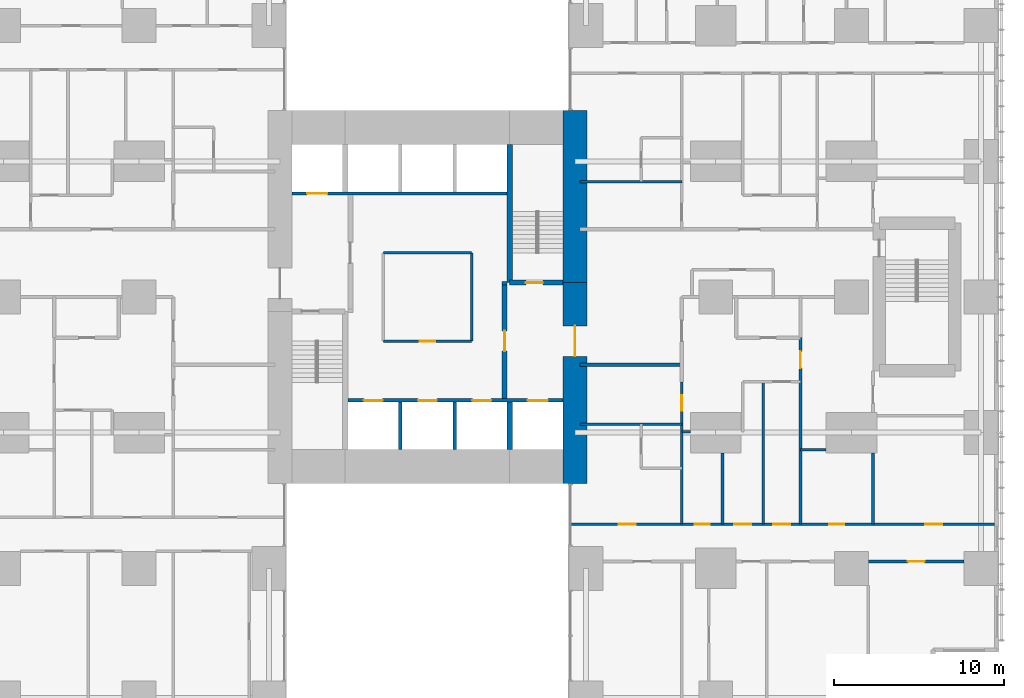
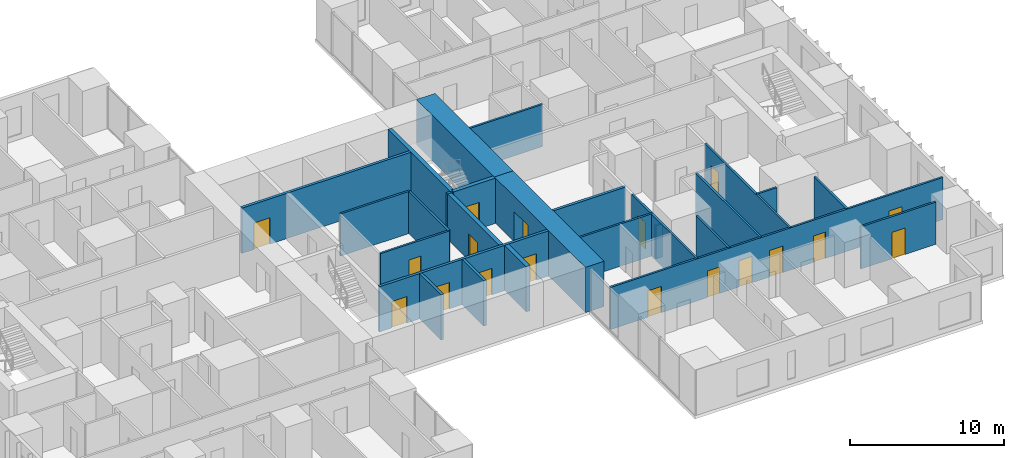
# One storey, part 15 of 20: 26 walls, 18 doors, 18 openings.
"""IFC4 building model written with IfcOpenShell, lengths in metres."""

import ifcopenshell
import ifcopenshell.guid

model = None  # the IFC model being written
_history = None  # IfcOwnerHistory: only IFC2X3 demands one
_inside = {}  # id of a spatial element -> (the spatial element, [elements in it])
_under = {}  # id of a project, library or spatial element -> (it, [spatial elements below it])
_declared = {}  # id of a project -> (the project, [libraries it declares])
_typed = {}  # id of a type object -> (the type object, [elements of that type])
_made_of = {}  # id of a material, layer set ... -> (it, [elements and type objects made of it])


def new_model(schema):
    """Start an empty IFC model of exactly this schema.

    Asked for "IFC4X3", IfcOpenShell would pick the latest addendum, in which some entities
    have other attributes; the version numbers below select the first issue.
    IFC2X3 requires an IfcOwnerHistory on every rooted entity: one is made here for all.
    """
    global model, _history
    if schema == "IFC4X3":
        model = ifcopenshell.file(schema_version=(4, 3, 0, 0))
    else:
        model = ifcopenshell.file(schema=schema)
    _inside.clear()
    _under.clear()
    _declared.clear()
    _typed.clear()
    _made_of.clear()
    _history = None
    if model.schema == "IFC2X3":
        org = make("IfcOrganization", Name="unknown")
        user = make(
            "IfcPersonAndOrganization",
            ThePerson=make("IfcPerson", FamilyName="unknown"),
            TheOrganization=org,
        )
        app = make(
            "IfcApplication",
            ApplicationDeveloper=org,
            Version="unknown",
            ApplicationFullName="unknown",
            ApplicationIdentifier="unknown",
        )
        _history = make(
            "IfcOwnerHistory",
            OwningUser=user,
            OwningApplication=app,
            ChangeAction="ADDED",
            CreationDate=0,
        )
    return model


def make(cls, **values):
    """One entity of the class cls with the attributes given. An attribute that is None is left unset."""
    return model.create_entity(
        cls, **{name: value for name, value in values.items() if value is not None}
    )


def rooted(cls, **values):
    """An entity with a GlobalId (a new one), such as an element, a storey or a relation."""
    return make(cls, GlobalId=ifcopenshell.guid.new(), OwnerHistory=_history, **values)


def si_unit(unit_type, name, prefix=None):
    """IfcSIUnit, for example si_unit("LENGTHUNIT", "METRE", prefix="MILLI")."""
    return make("IfcSIUnit", UnitType=unit_type, Prefix=prefix, Name=name)


def assignment(units):
    """IfcUnitAssignment: the units of a project."""
    return None if units is None else make("IfcUnitAssignment", Units=units)


def point(xyz):
    """IfcCartesianPoint."""
    return None if xyz is None else make("IfcCartesianPoint", Coordinates=xyz)


def direction(xyz):
    """IfcDirection."""
    return None if xyz is None else make("IfcDirection", DirectionRatios=xyz)


def frame(location, z_axis=None, x_axis=None):
    """IfcAxis2Placement3D, a coordinate frame: its origin and axes. An axis left out is left unset."""
    return make(
        "IfcAxis2Placement3D",
        Location=point(location),
        Axis=direction(z_axis),
        RefDirection=direction(x_axis),
    )


def frame_2d(location, x_axis=None):
    """IfcAxis2Placement2D, a coordinate frame in the plane: its origin and x axis."""
    return make(
        "IfcAxis2Placement2D", Location=point(location), RefDirection=direction(x_axis)
    )


def origin():
    """The frame at (0, 0, 0) with its axes left unset."""
    return frame((0.0, 0.0, 0.0))


def place(relative_to, where):
    """IfcLocalPlacement: puts the frame where relative to a parent placement (None: the world)."""
    return make(
        "IfcLocalPlacement", PlacementRelTo=relative_to, RelativePlacement=where
    )


def context(
    kind, dimensions, precision=None, world=None, true_north=None, identifier=None
):
    """IfcGeometricRepresentationContext, for example the 3D "Model" context."""
    return make(
        "IfcGeometricRepresentationContext",
        ContextIdentifier=identifier,
        ContextType=kind,
        CoordinateSpaceDimension=dimensions,
        Precision=precision,
        WorldCoordinateSystem=world,
        TrueNorth=true_north,
    )


def subcontext(parent, identifier, kind, view, scale=None):
    """IfcGeometricRepresentationSubContext, for example "Body" below "Model"."""
    return make(
        "IfcGeometricRepresentationSubContext",
        ContextIdentifier=identifier,
        ContextType=kind,
        ParentContext=parent,
        TargetScale=scale,
        TargetView=view,
    )


def project(units=None, contexts=None):
    """IfcProject with its units and contexts."""
    return rooted(
        "IfcProject",
        Name="project",
        RepresentationContexts=contexts,
        UnitsInContext=assignment(units),
    )


def spatial(cls, under=None, at=None, **own):
    """A site, building, storey or space (cls), placed at a placement, below another one or the project."""
    s = rooted(cls, ObjectPlacement=at, **own)
    if under is not None:
        _under.setdefault(under.id(), (under, []))[1].append(s)
    return s


def profile(cls, at=None, kind="AREA", **sizes):
    """A parametric profile (cls). Its sizes go by their IFC names, for example OverallWidth=200.0."""
    return make(cls, ProfileType=kind, Position=at, **sizes)


def rectangle(**sizes):
    """IfcRectangleProfileDef."""
    return profile("IfcRectangleProfileDef", **sizes)


def extrude(swept, where, along, depth):
    """IfcExtrudedAreaSolid: the profile swept, set in the frame where, extruded along a direction by depth."""
    return make(
        "IfcExtrudedAreaSolid",
        SweptArea=swept,
        Position=where,
        ExtrudedDirection=direction(along),
        Depth=depth,
    )


def shape(context_of_items, identifier, shape_type, items):
    """IfcShapeRepresentation: the items that make up one representation, for example the "Body"."""
    return make(
        "IfcShapeRepresentation",
        ContextOfItems=context_of_items,
        RepresentationIdentifier=identifier,
        RepresentationType=shape_type,
        Items=items,
    )


def material(Name=None, Category=None):
    """IfcMaterial."""
    return make("IfcMaterial", Name=Name, Category=Category)


def layer(
    of_material, thickness, ventilated=None, Name=None, Category=None, Priority=None
):
    """IfcMaterialLayer: one layer of a wall or slab, of a material (None: an air gap)."""
    return make(
        "IfcMaterialLayer",
        Material=of_material,
        LayerThickness=thickness,
        IsVentilated=ventilated,
        Name=Name,
        Category=Category,
        Priority=Priority,
    )


def layer_set(layers, Name=None):
    """IfcMaterialLayerSet."""
    return make("IfcMaterialLayerSet", MaterialLayers=layers, LayerSetName=Name)


def made_of(thing, what):
    """Note that an element or type object is made of a material, layer set ...; save() writes the relation."""
    if what is not None:
        _made_of.setdefault(what.id(), (what, []))[1].append(thing)
    return thing


def type_object(cls, material=None, **own):
    """A type object (cls), such as IfcWallType, which elements share."""
    return made_of(rooted(cls, **own), material)


def element(
    cls,
    number,
    at=None,
    inside=None,
    cuts=None,
    type_object=None,
    material=None,
    context=None,
    identifier="Body",
    shape_type=None,
    held_by="IfcProductDefinitionShape",
    body=None,
    shapes=None,
    **own,
):
    """One element of the class cls, such as IfcWall. Its Tag is "e" and its number.

    at: its placement. inside: the storey or other place that contains it. cuts: it is an
    opening in that element (IfcRelVoidsElement). A single representation is given by context,
    identifier, shape_type and body (its items); several are given by shapes. held_by: the class
    of the entity that holds the representations. save() writes the other relations.
    """
    e = rooted(cls, Tag="e%d" % number, ObjectPlacement=at, **own)
    if body is not None:
        shapes = [shape(context, identifier, shape_type, body)]
    if shapes is not None:
        e.Representation = make(held_by, Representations=shapes)
    if inside is not None:
        _inside.setdefault(inside.id(), (inside, []))[1].append(e)
    if cuts is not None:
        rooted(
            "IfcRelVoidsElement", RelatingBuildingElement=cuts, RelatedOpeningElement=e
        )
    if type_object is not None:
        _typed.setdefault(type_object.id(), (type_object, []))[1].append(e)
    return made_of(e, material)


def fill(opening, filler):
    """IfcRelFillsElement: the door or window that sits in an opening."""
    return rooted(
        "IfcRelFillsElement",
        RelatingOpeningElement=opening,
        RelatedBuildingElement=filler,
    )


def aggregate(whole, parts):
    """IfcRelAggregates: a whole, such as a stair, and the parts it consists of."""
    return rooted("IfcRelAggregates", RelatingObject=whole, RelatedObjects=parts)


def save(model, path):
    """Write the relations noted so far, then the file.

    IfcRelAggregates (storeys below a building ...), IfcRelContainedInSpatialStructure (elements
    in a storey), IfcRelDefinesByType, IfcRelAssociatesMaterial and IfcRelDeclares: one each for
    every whole, place, type object, material and project.
    """
    for whole, parts in _under.values():
        aggregate(whole, parts)
    for where, things in _inside.values():
        rooted(
            "IfcRelContainedInSpatialStructure",
            RelatedElements=things,
            RelatingStructure=where,
        )
    for kind, things in _typed.values():
        rooted("IfcRelDefinesByType", RelatedObjects=things, RelatingType=kind)
    for what, things in _made_of.values():
        rooted("IfcRelAssociatesMaterial", RelatedObjects=things, RelatingMaterial=what)
    for by, libraries in _declared.values():
        rooted("IfcRelDeclares", RelatingContext=by, RelatedDefinitions=libraries)
    model.write(path)


model = new_model("IFC4")

# Units and contexts
model_context = context("Model", 3, precision=1e-05, world=origin(), true_north=direction((0.0, 1.0)))
body_context = subcontext(model_context, "Body", "Model", "MODEL_VIEW")
ifc_project = project(units=[si_unit("LENGTHUNIT", "METRE"), si_unit("AREAUNIT", "SQUARE_METRE"), si_unit("VOLUMEUNIT", "CUBIC_METRE"), si_unit("PLANEANGLEUNIT", "RADIAN"), si_unit("MASSUNIT", "GRAM", prefix="KILO")], contexts=[model_context])

# Site, building, storey
site_placement = place(None, origin())
site = spatial("IfcSite", under=ifc_project, at=site_placement, CompositionType="ELEMENT")
building_placement = place(site_placement, origin())
building = spatial("IfcBuilding", under=site, at=building_placement, Name="Cleftline Residences", CompositionType="ELEMENT")
storey_placement = place(building_placement, frame((0.0, 0.0, 150.199951171875)))
storey = spatial("IfcBuildingStorey", under=building, at=storey_placement, Name="L39", CompositionType="ELEMENT", Elevation=150.199951171875)

# Wall, opening, door
ifc_material_1 = material(Name="Concrete B70", Category="concrete")
ifc_layer_1 = layer(ifc_material_1, 1.39990234375)
ifc_layer_set_1 = layer_set([ifc_layer_1], Name="CORE WALL 1400")
wall_type_1 = type_object("IfcWallType", Name="CORE WALL 1400", PredefinedType="SHEAR", material=ifc_layer_set_1)
wall_1_placement = place(storey_placement, frame((41.699951171875, 13.0, 0.0), z_axis=(0.0, 0.0, 1.0), x_axis=(0.0, 1.0, 0.0)))
wall_1 = element("IfcWall", 1, at=wall_1_placement, inside=storey, type_object=wall_type_1, Name="Core wall E", PredefinedType="SHEAR", context=body_context, shape_type="SweptSolid", body=[
    extrude(rectangle(XDim=11.85009765625, YDim=1.39990234375, at=frame_2d((5.925048828125, 0.0))), origin(), (0.0, 0.0, 1.0), 3.60009765625),
])
opening_1_placement = place(wall_1_placement, frame((7.5, 0.0, 0.0)))
opening_1 = element("IfcOpeningElement", 2, at=opening_1_placement, cuts=wall_1, Name="Opening D7", PredefinedType="OPENING", context=body_context, shape_type="SweptSolid", body=[
    extrude(rectangle(XDim=1.800048828125, YDim=2.39990234375, at=frame_2d((0.89990234375, 1.199951171875))), frame((0.0, 0.7099609375, 0.0), z_axis=(0.0, -1.0, 0.0), x_axis=(1.0, 0.0, 0.0)), (0.0, 0.0, 1.0), 1.419921875),
])
ifc_material_2 = material(Name="Steel", Category="steel")
door_type_1 = type_object("IfcDoorType", Name="WING DOOR 1800X2400", OperationType="DOUBLE_DOOR_DOUBLE_SWING", PredefinedType="DOOR", material=ifc_material_2)
door_1_placement = place(opening_1_placement, origin())
door_1 = element("IfcDoor", 3, at=door_1_placement, inside=storey, type_object=door_type_1, Name="East wing door", OperationType="DOUBLE_DOOR_DOUBLE_SWING", OverallHeight=2.39990234375, OverallWidth=1.800048828125, PredefinedType="DOOR", context=body_context, shape_type="SweptSolid", body=[
    extrude(rectangle(XDim=1.800048828125, YDim=2.39990234375, at=frame_2d((0.89990234375, 1.199951171875))), frame((0.0, 0.02490234375, 0.0), z_axis=(0.0, -1.0, 0.0), x_axis=(1.0, 0.0, 0.0)), (0.0, 0.0, 1.0), 0.050048828125),
])
fill(opening_1, door_1)

# Walls
wall_2_placement = place(storey_placement, frame((41.699951171875, 24.85009765625, 0.0), z_axis=(0.0, 0.0, 1.0), x_axis=(0.0, 1.0, 0.0)))
element("IfcWall", 4, at=wall_2_placement, inside=storey, type_object=wall_type_1, Name="Core wall E1", PredefinedType="SHEAR", context=body_context, shape_type="SweptSolid", body=[
    extrude(rectangle(XDim=10.14990234375, YDim=1.39990234375, at=frame_2d((5.074951171875, 0.0))), origin(), (0.0, 0.0, 1.0), 3.60009765625),
])
ifc_material_3 = material(Name="Concrete B70", Category="concrete")
ifc_layer_2 = layer(ifc_material_3, 0.300048828125)
ifc_layer_set_2 = layer_set([ifc_layer_2], Name="CORE WALL 300")
wall_type_2 = type_object("IfcWallType", Name="CORE WALL 300", PredefinedType="SHEAR", material=ifc_layer_set_2)
wall_3_placement = place(storey_placement, frame((37.85009765625, 24.85009765625, 0.0), z_axis=(0.0, 0.0, 1.0), x_axis=(0.0, 1.0, 0.0)))
element("IfcWall", 5, at=wall_3_placement, inside=storey, type_object=wall_type_2, Name="Core wall SB-W", PredefinedType="SHEAR", context=body_context, shape_type="SweptSolid", body=[
    extrude(rectangle(XDim=8.14990234375, YDim=0.300048828125, at=frame_2d((4.074951171875, 0.0))), origin(), (0.0, 0.0, 1.0), 3.60009765625),
])

# Wall, opening, door
wall_4_placement = place(storey_placement, frame((37.85009765625, 24.85009765625, 0.0), z_axis=(0.0, 0.0, 1.0), x_axis=(1.0, 0.0, 0.0)))
wall_4 = element("IfcWall", 6, at=wall_4_placement, inside=storey, type_object=wall_type_2, Name="Core wall SB-S", PredefinedType="SHEAR", context=body_context, shape_type="SweptSolid", body=[
    extrude(rectangle(XDim=3.14990234375, YDim=0.300048828125, at=frame_2d((1.574951171875, 0.0))), origin(), (0.0, 0.0, 1.0), 3.60009765625),
])
opening_2_placement = place(wall_4_placement, frame((0.949951171875, 0.0, 0.0)))
opening_2 = element("IfcOpeningElement", 7, at=opening_2_placement, cuts=wall_4, Name="Opening D5", PredefinedType="OPENING", context=body_context, shape_type="SweptSolid", body=[
    extrude(rectangle(XDim=1.0, YDim=2.10009765625, at=frame_2d((0.5, 1.050048828125))), frame((0.0, 0.159912109375, 0.0), z_axis=(0.0, -1.0, 0.0), x_axis=(1.0, 0.0, 0.0)), (0.0, 0.0, 1.0), 0.320068359375),
])
ifc_material_4 = material(Name="Steel", Category="steel")
door_type_2 = type_object("IfcDoorType", Name="STAIR DOOR 1000X2100", OperationType="SINGLE_SWING_LEFT", PredefinedType="DOOR", material=ifc_material_4)
door_2_placement = place(opening_2_placement, origin())
door_2 = element("IfcDoor", 8, at=door_2_placement, inside=storey, type_object=door_type_2, Name="Stair B door", OperationType="SINGLE_SWING_RIGHT", OverallHeight=2.10009765625, OverallWidth=1.0, PredefinedType="DOOR", context=body_context, shape_type="SweptSolid", body=[
    extrude(rectangle(XDim=1.0, YDim=2.10009765625, at=frame_2d((0.5, 1.050048828125))), frame((0.0, 0.02490234375, 0.0), z_axis=(0.0, -1.0, 0.0), x_axis=(1.0, 0.0, 0.0)), (0.0, 0.0, 1.0), 0.050048828125),
])
fill(opening_2, door_2)

# Walls
wall_5_placement = place(storey_placement, frame((37.85009765625, 15.0, 0.0), z_axis=(0.0, 0.0, 1.0), x_axis=(0.0, 1.0, 0.0)))
element("IfcWall", 9, at=wall_5_placement, inside=storey, type_object=wall_type_2, Name="Lift shaft wall", PredefinedType="SHEAR", context=body_context, shape_type="SweptSolid", body=[
    extrude(rectangle(XDim=2.800048828125, YDim=0.300048828125, at=frame_2d((1.39990234375, 0.0))), origin(), (0.0, 0.0, 1.0), 3.60009765625),
])
ifc_material_5 = material(Name="Concrete blockwork, fire rated", Category="masonry")
ifc_layer_3 = layer(ifc_material_5, 0.199951171875)
ifc_layer_set_3 = layer_set([ifc_layer_3], Name="FIRE WALL 200")
wall_type_3 = type_object("IfcWallType", Name="FIRE WALL 200", PredefinedType="PARTITIONING", material=ifc_layer_set_3)
wall_6_placement = place(storey_placement, frame((42.0, 20.0, 0.0), z_axis=(0.0, 0.0, 1.0), x_axis=(1.0, 0.0, 0.0)))
element("IfcWall", 10, at=wall_6_placement, inside=storey, type_object=wall_type_3, Name="Fire separating wall", PredefinedType="PARTITIONING", context=body_context, shape_type="SweptSolid", body=[
    extrude(rectangle(XDim=6.0, YDim=0.199951171875, at=frame_2d((3.0, 0.0))), origin(), (0.0, 0.0, 1.0), 3.35009765625),
])
wall_7_placement = place(storey_placement, frame((37.39990234375, 24.800048828125, 0.0), z_axis=(0.0, 0.0, 1.0), x_axis=(1.0, 0.0, 0.0)))
element("IfcWall", 11, at=wall_7_placement, inside=storey, type_object=wall_type_3, Name="Fire separating wall", PredefinedType="PARTITIONING", context=body_context, shape_type="SweptSolid", body=[
    extrude(rectangle(XDim=0.300048828125, YDim=0.199951171875, at=frame_2d((0.14990234375, 0.0))), origin(), (0.0, 0.0, 1.0), 3.60009765625),
])

# Wall, opening, door
ifc_material_6 = material(Name="Gypsum board on steel studs", Category="steel")
ifc_layer_4 = layer(ifc_material_6, 0.14990234375)
ifc_layer_set_4 = layer_set([ifc_layer_4], Name="PARTITION 150")
wall_type_4 = type_object("IfcWallType", Name="PARTITION 150", PredefinedType="PARTITIONING", material=ifc_layer_set_4)
wall_8_placement = place(storey_placement, frame((59.0, 8.39990234375, 0.0), z_axis=(0.0, 0.0, 1.0), x_axis=(1.0, 0.0, 0.0)))
wall_8 = element("IfcWall", 12, at=wall_8_placement, inside=storey, type_object=wall_type_4, Name="Partition", PredefinedType="PARTITIONING", context=body_context, shape_type="SweptSolid", body=[
    extrude(rectangle(XDim=5.64990234375, YDim=0.14990234375, at=frame_2d((2.824951171875, 0.0))), origin(), (0.0, 0.0, 1.0), 3.35009765625),
])
opening_3_placement = place(wall_8_placement, frame((2.324951171875, 0.0, 0.0)))
opening_3 = element("IfcOpeningElement", 13, at=opening_3_placement, cuts=wall_8, Name="Opening D2", PredefinedType="OPENING", context=body_context, shape_type="SweptSolid", body=[
    extrude(rectangle(XDim=1.0, YDim=2.10009765625, at=frame_2d((0.5, 1.050048828125))), frame((0.0, 0.0849609375, 0.0), z_axis=(0.0, -1.0, 0.0), x_axis=(1.0, 0.0, 0.0)), (0.0, 0.0, 1.0), 0.169921875),
])
ifc_material_7 = material(Name="Timber veneer on solid core", Category="wood")
door_type_3 = type_object("IfcDoorType", Name="DOOR 1000X2100", OperationType="SINGLE_SWING_LEFT", PredefinedType="DOOR", material=ifc_material_7)
door_3_placement = place(opening_3_placement, origin())
door_3 = element("IfcDoor", 14, at=door_3_placement, inside=storey, type_object=door_type_3, Name="Door to music room", OperationType="SINGLE_SWING_LEFT", OverallHeight=2.10009765625, OverallWidth=1.0, PredefinedType="DOOR", context=body_context, shape_type="SweptSolid", body=[
    extrude(rectangle(XDim=1.0, YDim=2.10009765625, at=frame_2d((0.5, 1.050048828125))), frame((0.0, 0.02490234375, 0.0), z_axis=(0.0, -1.0, 0.0), x_axis=(1.0, 0.0, 0.0)), (0.0, 0.0, 1.0), 0.050048828125),
])
fill(opening_3, door_3)

# Wall, openings, doors
wall_9_placement = place(storey_placement, frame((41.43896484375, 10.60009765625, 0.0), z_axis=(0.0, 0.0, 1.0), x_axis=(1.0, 0.0, 0.0)))
wall_9 = element("IfcWall", 15, at=wall_9_placement, inside=storey, type_object=wall_type_4, Name="Partition", PredefinedType="PARTITIONING", context=body_context, shape_type="SweptSolid", body=[
    extrude(rectangle(XDim=25.010986328125, YDim=0.14990234375, at=frame_2d((12.50537109375, 0.0))), origin(), (0.0, 0.0, 1.0), 3.35009765625),
])
opening_4_placement = place(wall_9_placement, frame((11.9609375, 0.0, 0.0)))
opening_4 = element("IfcOpeningElement", 16, at=opening_4_placement, cuts=wall_9, Name="Opening D2", PredefinedType="OPENING", context=body_context, shape_type="SweptSolid", body=[
    extrude(rectangle(XDim=1.0, YDim=2.10009765625, at=frame_2d((0.5, 1.050048828125))), frame((0.0, 0.0849609375, 0.0), z_axis=(0.0, -1.0, 0.0), x_axis=(1.0, 0.0, 0.0)), (0.0, 0.0, 1.0), 0.169921875),
])
opening_5_placement = place(wall_9_placement, frame((20.923583984375, 0.0, 0.0)))
opening_5 = element("IfcOpeningElement", 17, at=opening_5_placement, cuts=wall_9, Name="Opening D2", PredefinedType="OPENING", context=body_context, shape_type="SweptSolid", body=[
    extrude(rectangle(XDim=1.0, YDim=2.10009765625, at=frame_2d((0.5, 1.050048828125))), frame((0.0, 0.0849609375, 0.0), z_axis=(0.0, -1.0, 0.0), x_axis=(1.0, 0.0, 0.0)), (0.0, 0.0, 1.0), 0.169921875),
])
opening_6_placement = place(wall_9_placement, frame((15.24853515625, 0.0, 0.0)))
opening_6 = element("IfcOpeningElement", 18, at=opening_6_placement, cuts=wall_9, Name="Opening D1", PredefinedType="OPENING", context=body_context, shape_type="SweptSolid", body=[
    extrude(rectangle(XDim=0.89990234375, YDim=2.10009765625, at=frame_2d((0.449951171875, 1.050048828125))), frame((0.0, 0.0849609375, 0.0), z_axis=(0.0, -1.0, 0.0), x_axis=(1.0, 0.0, 0.0)), (0.0, 0.0, 1.0), 0.169921875),
])
opening_7_placement = place(wall_9_placement, frame((9.660888671875, 0.0, 0.0)))
opening_7 = element("IfcOpeningElement", 19, at=opening_7_placement, cuts=wall_9, Name="Opening D2", PredefinedType="OPENING", context=body_context, shape_type="SweptSolid", body=[
    extrude(rectangle(XDim=1.0, YDim=2.10009765625, at=frame_2d((0.5, 1.050048828125))), frame((0.0, 0.0849609375, 0.0), z_axis=(0.0, -1.0, 0.0), x_axis=(1.0, 0.0, 0.0)), (0.0, 0.0, 1.0), 0.169921875),
])
opening_8_placement = place(wall_9_placement, frame((7.31103515625, 0.0, 0.0)))
opening_8 = element("IfcOpeningElement", 20, at=opening_8_placement, cuts=wall_9, Name="Opening D1", PredefinedType="OPENING", context=body_context, shape_type="SweptSolid", body=[
    extrude(rectangle(XDim=0.89990234375, YDim=2.10009765625, at=frame_2d((0.449951171875, 1.050048828125))), frame((0.0, 0.0849609375, 0.0), z_axis=(0.0, -1.0, 0.0), x_axis=(1.0, 0.0, 0.0)), (0.0, 0.0, 1.0), 0.169921875),
])
opening_9_placement = place(wall_9_placement, frame((2.8359375, 0.0, 0.0)))
opening_9 = element("IfcOpeningElement", 21, at=opening_9_placement, cuts=wall_9, Name="Opening D2", PredefinedType="OPENING", context=body_context, shape_type="SweptSolid", body=[
    extrude(rectangle(XDim=1.0, YDim=2.10009765625, at=frame_2d((0.5, 1.050048828125))), frame((0.0, 0.0849609375, 0.0), z_axis=(0.0, -1.0, 0.0), x_axis=(1.0, 0.0, 0.0)), (0.0, 0.0, 1.0), 0.169921875),
])
door_4_placement = place(opening_4_placement, origin())
door_4 = element("IfcDoor", 22, at=door_4_placement, inside=storey, type_object=door_type_3, Name="Door to residence hall", OperationType="SINGLE_SWING_RIGHT", OverallHeight=2.10009765625, OverallWidth=1.0, PredefinedType="DOOR", context=body_context, shape_type="SweptSolid", body=[
    extrude(rectangle(XDim=1.0, YDim=2.10009765625, at=frame_2d((0.5, 1.050048828125))), frame((0.0, 0.02490234375, 0.0), z_axis=(0.0, -1.0, 0.0), x_axis=(1.0, 0.0, 0.0)), (0.0, 0.0, 1.0), 0.050048828125),
])
fill(opening_4, door_4)
door_5_placement = place(opening_5_placement, origin())
door_5 = element("IfcDoor", 23, at=door_5_placement, inside=storey, type_object=door_type_3, Name="Door to sea-view great room", OperationType="SINGLE_SWING_LEFT", OverallHeight=2.10009765625, OverallWidth=1.0, PredefinedType="DOOR", context=body_context, shape_type="SweptSolid", body=[
    extrude(rectangle(XDim=1.0, YDim=2.10009765625, at=frame_2d((0.5, 1.050048828125))), frame((0.0, 0.02490234375, 0.0), z_axis=(0.0, -1.0, 0.0), x_axis=(1.0, 0.0, 0.0)), (0.0, 0.0, 1.0), 0.050048828125),
])
fill(opening_5, door_5)
door_6_placement = place(opening_7_placement, origin())
door_6 = element("IfcDoor", 24, at=door_6_placement, inside=storey, type_object=door_type_3, Name="Door to wet kitchen", OperationType="SINGLE_SWING_RIGHT", OverallHeight=2.10009765625, OverallWidth=1.0, PredefinedType="DOOR", context=body_context, shape_type="SweptSolid", body=[
    extrude(rectangle(XDim=1.0, YDim=2.10009765625, at=frame_2d((0.5, 1.050048828125))), frame((0.0, 0.02490234375, 0.0), z_axis=(0.0, -1.0, 0.0), x_axis=(1.0, 0.0, 0.0)), (0.0, 0.0, 1.0), 0.050048828125),
])
fill(opening_7, door_6)
door_7_placement = place(opening_9_placement, origin())
door_7 = element("IfcDoor", 25, at=door_7_placement, inside=storey, type_object=door_type_3, Name="Door to staff bedroom", OperationType="SINGLE_SWING_RIGHT", OverallHeight=2.10009765625, OverallWidth=1.0, PredefinedType="DOOR", context=body_context, shape_type="SweptSolid", body=[
    extrude(rectangle(XDim=1.0, YDim=2.10009765625, at=frame_2d((0.5, 1.050048828125))), frame((0.0, 0.02490234375, 0.0), z_axis=(0.0, -1.0, 0.0), x_axis=(1.0, 0.0, 0.0)), (0.0, 0.0, 1.0), 0.050048828125),
])
fill(opening_9, door_7)
ifc_material_8 = material(Name="Timber veneer on solid core", Category="wood")
door_type_4 = type_object("IfcDoorType", Name="DOOR 900X2100", OperationType="SINGLE_SWING_LEFT", PredefinedType="DOOR", material=ifc_material_8)
door_8_placement = place(opening_6_placement, origin())
door_8 = element("IfcDoor", 26, at=door_8_placement, inside=storey, type_object=door_type_4, Name="Door to wine room", OperationType="SINGLE_SWING_LEFT", OverallHeight=2.10009765625, OverallWidth=0.89990234375, PredefinedType="DOOR", context=body_context, shape_type="SweptSolid", body=[
    extrude(rectangle(XDim=0.89990234375, YDim=2.10009765625, at=frame_2d((0.449951171875, 1.050048828125))), frame((0.0, 0.02490234375, 0.0), z_axis=(0.0, -1.0, 0.0), x_axis=(1.0, 0.0, 0.0)), (0.0, 0.0, 1.0), 0.050048828125),
])
fill(opening_6, door_8)
door_9_placement = place(opening_8_placement, origin())
door_9 = element("IfcDoor", 27, at=door_9_placement, inside=storey, type_object=door_type_4, Name="Door to pantry", OperationType="SINGLE_SWING_RIGHT", OverallHeight=2.10009765625, OverallWidth=0.89990234375, PredefinedType="DOOR", context=body_context, shape_type="SweptSolid", body=[
    extrude(rectangle(XDim=0.89990234375, YDim=2.10009765625, at=frame_2d((0.449951171875, 1.050048828125))), frame((0.0, 0.02490234375, 0.0), z_axis=(0.0, -1.0, 0.0), x_axis=(1.0, 0.0, 0.0)), (0.0, 0.0, 1.0), 0.050048828125),
])
fill(opening_8, door_9)

# Walls
wall_10_placement = place(storey_placement, frame((55.0, 15.0, 0.0), z_axis=(0.0, 0.0, 1.0), x_axis=(1.0, 0.0, 0.0)))
element("IfcWall", 28, at=wall_10_placement, inside=storey, type_object=wall_type_4, Name="Partition", PredefinedType="PARTITIONING", context=body_context, shape_type="SweptSolid", body=[
    extrude(rectangle(XDim=1.5, YDim=0.14990234375, at=frame_2d((0.75, 0.0))), origin(), (0.0, 0.0, 1.0), 3.35009765625),
])
wall_11_placement = place(storey_placement, frame((48.0, 16.050048828125, 0.0), z_axis=(0.0, 0.0, 1.0), x_axis=(1.0, 0.0, 0.0)))
element("IfcWall", 29, at=wall_11_placement, inside=storey, type_object=wall_type_4, Name="Partition", PredefinedType="PARTITIONING", context=body_context, shape_type="SweptSolid", body=[
    extrude(rectangle(XDim=0.5, YDim=0.14990234375, at=frame_2d((0.25, 0.0))), origin(), (0.0, 0.0, 1.0), 2.634033203125),
])
for number, where, z_axis, x_axis, name in (
    (30, (42.0, 16.5, 0.0), (0.0, 0.0, 1.0), (1.0, 0.0, 0.0), "Partition"),
    (31, (42.0, 30.800048828125, 0.0), (0.0, 0.0, 1.0), (1.0, 0.0, 0.0), "Partition"),
):
    element("IfcWall", number, at=place(storey_placement, frame(where, z_axis=z_axis, x_axis=x_axis)), inside=storey, type_object=wall_type_4, Name=name, PredefinedType="PARTITIONING", context=body_context, shape_type="SweptSolid", body=[
        extrude(rectangle(XDim=6.0, YDim=0.14990234375, at=frame_2d((3.0, 0.0))), origin(), (0.0, 0.0, 1.0), 3.35009765625),
    ])

# Wall, opening, door
wall_12_placement = place(storey_placement, frame((48.0, 10.60009765625, 0.0), z_axis=(0.0, 0.0, 1.0), x_axis=(0.0, 1.0, 0.0)))
wall_12 = element("IfcWall", 32, at=wall_12_placement, inside=storey, type_object=wall_type_4, Name="Partition", PredefinedType="PARTITIONING", context=body_context, shape_type="SweptSolid", body=[
    extrude(rectangle(XDim=8.39990234375, YDim=0.14990234375, at=frame_2d((4.199951171875, 0.0))), origin(), (0.0, 0.0, 1.0), 3.35009765625),
])
opening_10_placement = place(wall_12_placement, frame((6.699951171875, 0.0, 0.0)))
opening_10 = element("IfcOpeningElement", 33, at=opening_10_placement, cuts=wall_12, Name="Opening D1", PredefinedType="OPENING", context=body_context, shape_type="SweptSolid", body=[
    extrude(rectangle(XDim=0.89990234375, YDim=2.10009765625, at=frame_2d((0.449951171875, 1.050048828125))), frame((0.0, 0.0849609375, 0.0), z_axis=(0.0, -1.0, 0.0), x_axis=(1.0, 0.0, 0.0)), (0.0, 0.0, 1.0), 0.169921875),
])
door_10_placement = place(opening_10_placement, origin())
door_10 = element("IfcDoor", 34, at=door_10_placement, inside=storey, type_object=door_type_4, Name="Door to drying loggia", OperationType="SINGLE_SWING_LEFT", OverallHeight=2.10009765625, OverallWidth=0.89990234375, PredefinedType="DOOR", context=body_context, shape_type="SweptSolid", body=[
    extrude(rectangle(XDim=0.89990234375, YDim=2.10009765625, at=frame_2d((0.449951171875, 1.050048828125))), frame((0.0, 0.02490234375, 0.0), z_axis=(0.0, -1.0, 0.0), x_axis=(1.0, 0.0, 0.0)), (0.0, 0.0, 1.0), 0.050048828125),
])
fill(opening_10, door_10)

# Walls
wall_13_placement = place(storey_placement, frame((50.39990234375, 10.60009765625, 0.0), z_axis=(0.0, 0.0, 1.0), x_axis=(0.0, 1.0, 0.0)))
element("IfcWall", 35, at=wall_13_placement, inside=storey, type_object=wall_type_4, Name="Partition", PredefinedType="PARTITIONING", context=body_context, shape_type="SweptSolid", body=[
    extrude(rectangle(XDim=4.199951171875, YDim=0.14990234375, at=frame_2d((2.10009765625, 0.0))), origin(), (0.0, 0.0, 1.0), 3.35009765625),
])
wall_14_placement = place(storey_placement, frame((52.800048828125, 10.60009765625, 0.0), z_axis=(0.0, 0.0, 1.0), x_axis=(0.0, 1.0, 0.0)))
element("IfcWall", 36, at=wall_14_placement, inside=storey, type_object=wall_type_4, Name="Partition", PredefinedType="PARTITIONING", context=body_context, shape_type="SweptSolid", body=[
    extrude(rectangle(XDim=8.39990234375, YDim=0.14990234375, at=frame_2d((4.199951171875, 0.0))), origin(), (0.0, 0.0, 1.0), 3.35009765625),
])

# Wall, opening, door
wall_15_placement = place(storey_placement, frame((55.0, 10.60009765625, 0.0), z_axis=(0.0, 0.0, 1.0), x_axis=(0.0, 1.0, 0.0)))
wall_15 = element("IfcWall", 37, at=wall_15_placement, inside=storey, type_object=wall_type_4, Name="Partition", PredefinedType="PARTITIONING", context=body_context, shape_type="SweptSolid", body=[
    extrude(rectangle(XDim=11.0, YDim=0.14990234375, at=frame_2d((5.5, 0.0))), origin(), (0.0, 0.0, 1.0), 3.35009765625),
])
opening_11_placement = place(wall_15_placement, frame((9.199951171875, 0.0, 0.0)))
opening_11 = element("IfcOpeningElement", 38, at=opening_11_placement, cuts=wall_15, Name="Opening D2F30", PredefinedType="OPENING", context=body_context, shape_type="SweptSolid", body=[
    extrude(rectangle(XDim=1.0, YDim=2.10009765625, at=frame_2d((0.5, 1.050048828125))), frame((0.0, 0.0849609375, 0.0), z_axis=(0.0, -1.0, 0.0), x_axis=(1.0, 0.0, 0.0)), (0.0, 0.0, 1.0), 0.169921875),
])
ifc_material_9 = material(Name="Timber veneer on solid core", Category="wood")
door_type_5 = type_object("IfcDoorType", Name="DOOR 1000X2100 EI 30", OperationType="SINGLE_SWING_LEFT", PredefinedType="DOOR", material=ifc_material_9)
door_11_placement = place(opening_11_placement, origin())
door_11 = element("IfcDoor", 39, at=door_11_placement, inside=storey, type_object=door_type_5, Name="Door to residence lobby", OperationType="SINGLE_SWING_LEFT", OverallHeight=2.10009765625, OverallWidth=1.0, PredefinedType="DOOR", context=body_context, shape_type="SweptSolid", body=[
    extrude(rectangle(XDim=1.0, YDim=2.10009765625, at=frame_2d((0.5, 1.050048828125))), frame((0.0, 0.02490234375, 0.0), z_axis=(0.0, -1.0, 0.0), x_axis=(1.0, 0.0, 0.0)), (0.0, 0.0, 1.0), 0.050048828125),
])
fill(opening_11, door_11)

# Wall
wall_16_placement = place(storey_placement, frame((59.27490234375, 10.60009765625, 0.0), z_axis=(0.0, 0.0, 1.0), x_axis=(0.0, 1.0, 0.0)))
element("IfcWall", 40, at=wall_16_placement, inside=storey, type_object=wall_type_4, Name="Partition", PredefinedType="PARTITIONING", context=body_context, shape_type="SweptSolid", body=[
    extrude(rectangle(XDim=4.199951171875, YDim=0.14990234375, at=frame_2d((2.10009765625, 0.0))), origin(), (0.0, 0.0, 1.0), 3.35009765625),
])

# Wall, opening, door
ifc_material_10 = material(Name="Fire-resisting gypsum board on steel studs", Category="steel")
ifc_layer_5 = layer(ifc_material_10, 0.14990234375)
ifc_layer_set_5 = layer_set([ifc_layer_5], Name="PARTITION 150 EI 60")
wall_type_5 = type_object("IfcWallType", Name="PARTITION 150 EI 60", PredefinedType="PARTITIONING", material=ifc_layer_set_5)
wall_17_placement = place(storey_placement, frame((30.39990234375, 21.39990234375, 0.0), z_axis=(0.0, 0.0, 1.0), x_axis=(1.0, 0.0, 0.0)))
wall_17 = element("IfcWall", 41, at=wall_17_placement, inside=storey, type_object=wall_type_5, Name="Core room partition", PredefinedType="PARTITIONING", context=body_context, shape_type="SweptSolid", body=[
    extrude(rectangle(XDim=5.2001953125, YDim=0.14990234375, at=frame_2d((2.60009765625, 0.0))), origin(), (0.0, 0.0, 1.0), 3.35009765625),
])
opening_12_placement = place(wall_17_placement, frame((2.14990234375, 0.0, 0.0)))
opening_12 = element("IfcOpeningElement", 42, at=opening_12_placement, cuts=wall_17, Name="Opening D1F30", PredefinedType="OPENING", context=body_context, shape_type="SweptSolid", body=[
    extrude(rectangle(XDim=0.89990234375, YDim=2.10009765625, at=frame_2d((0.449951171875, 1.050048828125))), frame((0.0, 0.0849609375, 0.0), z_axis=(0.0, -1.0, 0.0), x_axis=(1.0, 0.0, 0.0)), (0.0, 0.0, 1.0), 0.169921875),
])
ifc_material_11 = material(Name="Timber veneer on solid core", Category="wood")
door_type_6 = type_object("IfcDoorType", Name="DOOR 900X2100 EI 30", OperationType="SINGLE_SWING_LEFT", PredefinedType="DOOR", material=ifc_material_11)
door_12_placement = place(opening_12_placement, origin())
door_12 = element("IfcDoor", 43, at=door_12_placement, inside=storey, type_object=door_type_6, Name="Door to housekeeping store", OperationType="SINGLE_SWING_LEFT", OverallHeight=2.10009765625, OverallWidth=0.89990234375, PredefinedType="DOOR", context=body_context, shape_type="SweptSolid", body=[
    extrude(rectangle(XDim=0.89990234375, YDim=2.10009765625, at=frame_2d((0.449951171875, 1.050048828125))), frame((0.0, 0.02490234375, 0.0), z_axis=(0.0, -1.0, 0.0), x_axis=(1.0, 0.0, 0.0)), (0.0, 0.0, 1.0), 0.050048828125),
])
fill(opening_12, door_12)

# Walls
for number, where, z_axis, x_axis, name in (
    (44, (30.39990234375, 26.60009765625, 0.0), (0.0, 0.0, 1.0), (1.0, 0.0, 0.0), "Core room partition"),
    (45, (35.60009765625, 21.39990234375, 0.0), (0.0, 0.0, 1.0), (0.0, 1.0, 0.0), "Core room partition"),
):
    element("IfcWall", number, at=place(storey_placement, frame(where, z_axis=z_axis, x_axis=x_axis)), inside=storey, type_object=wall_type_5, Name=name, PredefinedType="PARTITIONING", context=body_context, shape_type="SweptSolid", body=[
        extrude(rectangle(XDim=5.2001953125, YDim=0.14990234375, at=frame_2d((2.60009765625, 0.0))), origin(), (0.0, 0.0, 1.0), 3.35009765625),
    ])

# Wall, openings, doors
ifc_material_12 = material(Name="Concrete blockwork, fire rated", Category="masonry")
ifc_layer_6 = layer(ifc_material_12, 0.199951171875)
ifc_layer_set_6 = layer_set([ifc_layer_6], Name="SHAFT WALL 200")
wall_type_6 = type_object("IfcWallType", Name="SHAFT WALL 200", PredefinedType="PARTITIONING", material=ifc_layer_set_6)
wall_18_placement = place(storey_placement, frame((28.300048828125, 17.89990234375, 0.0), z_axis=(0.0, 0.0, 1.0), x_axis=(1.0, 0.0, 0.0)))
wall_18 = element("IfcWall", 46, at=wall_18_placement, inside=storey, type_object=wall_type_6, Name="Lift shaft wall", PredefinedType="PARTITIONING", context=body_context, shape_type="SweptSolid", body=[
    extrude(rectangle(XDim=12.699951171875, YDim=0.199951171875, at=frame_2d((6.35009765625, 0.0))), origin(), (0.0, 0.0, 1.0), 3.60009765625),
])
opening_13_placement = place(wall_18_placement, frame((0.949951171875, 0.0, 0.0)))
opening_13 = element("IfcOpeningElement", 47, at=opening_13_placement, cuts=wall_18, Name="Opening LD1", PredefinedType="OPENING", context=body_context, shape_type="SweptSolid", body=[
    extrude(rectangle(XDim=1.10009765625, YDim=2.10009765625, at=frame_2d((0.550048828125, 1.050048828125))), frame((0.0, 0.10986328125, 0.0), z_axis=(0.0, -1.0, 0.0), x_axis=(1.0, 0.0, 0.0)), (0.0, 0.0, 1.0), 0.219970703125),
])
opening_14_placement = place(wall_18_placement, frame((4.14990234375, 0.0, 0.0)))
opening_14 = element("IfcOpeningElement", 48, at=opening_14_placement, cuts=wall_18, Name="Opening LD1", PredefinedType="OPENING", context=body_context, shape_type="SweptSolid", body=[
    extrude(rectangle(XDim=1.10009765625, YDim=2.10009765625, at=frame_2d((0.550048828125, 1.050048828125))), frame((0.0, 0.10986328125, 0.0), z_axis=(0.0, -1.0, 0.0), x_axis=(1.0, 0.0, 0.0)), (0.0, 0.0, 1.0), 0.219970703125),
])
opening_15_placement = place(wall_18_placement, frame((7.35009765625, 0.0, 0.0)))
opening_15 = element("IfcOpeningElement", 49, at=opening_15_placement, cuts=wall_18, Name="Opening LD1", PredefinedType="OPENING", context=body_context, shape_type="SweptSolid", body=[
    extrude(rectangle(XDim=1.10009765625, YDim=2.10009765625, at=frame_2d((0.550048828125, 1.050048828125))), frame((0.0, 0.10986328125, 0.0), z_axis=(0.0, -1.0, 0.0), x_axis=(1.0, 0.0, 0.0)), (0.0, 0.0, 1.0), 0.219970703125),
])
opening_16_placement = place(wall_18_placement, frame((10.60009765625, 0.0, 0.0)))
opening_16 = element("IfcOpeningElement", 50, at=opening_16_placement, cuts=wall_18, Name="Opening LD2", PredefinedType="OPENING", context=body_context, shape_type="SweptSolid", body=[
    extrude(rectangle(XDim=1.199951171875, YDim=2.10009765625, at=frame_2d((0.60009765625, 1.050048828125))), frame((0.0, 0.10986328125, 0.0), z_axis=(0.0, -1.0, 0.0), x_axis=(1.0, 0.0, 0.0)), (0.0, 0.0, 1.0), 0.219970703125),
])
ifc_material_13 = material(Name="Steel", Category="steel")
door_type_7 = type_object("IfcDoorType", Name="FIREFIGHTING LIFT LANDING DOOR 1200X2100", OperationType="SLIDING_TO_LEFT", PredefinedType="DOOR", material=ifc_material_13)
door_13_placement = place(opening_16_placement, origin())
door_13 = element("IfcDoor", 51, at=door_13_placement, inside=storey, type_object=door_type_7, Name="Lift FL2 landing door", OperationType="SLIDING_TO_LEFT", OverallHeight=2.10009765625, OverallWidth=1.199951171875, PredefinedType="DOOR", context=body_context, shape_type="SweptSolid", body=[
    extrude(rectangle(XDim=1.199951171875, YDim=2.10009765625, at=frame_2d((0.60009765625, 1.050048828125))), frame((0.0, 0.02490234375, 0.0), z_axis=(0.0, -1.0, 0.0), x_axis=(1.0, 0.0, 0.0)), (0.0, 0.0, 1.0), 0.050048828125),
])
fill(opening_16, door_13)
ifc_material_14 = material(Name="Steel", Category="steel")
door_type_8 = type_object("IfcDoorType", Name="LIFT LANDING DOOR 1100X2100", OperationType="SLIDING_TO_LEFT", PredefinedType="DOOR", material=ifc_material_14)
door_14_placement = place(opening_13_placement, origin())
door_14 = element("IfcDoor", 52, at=door_14_placement, inside=storey, type_object=door_type_8, Name="Lift P1 landing door", OperationType="SLIDING_TO_LEFT", OverallHeight=2.10009765625, OverallWidth=1.10009765625, PredefinedType="DOOR", context=body_context, shape_type="SweptSolid", body=[
    extrude(rectangle(XDim=1.10009765625, YDim=2.10009765625, at=frame_2d((0.550048828125, 1.050048828125))), frame((0.0, 0.02490234375, 0.0), z_axis=(0.0, -1.0, 0.0), x_axis=(1.0, 0.0, 0.0)), (0.0, 0.0, 1.0), 0.050048828125),
])
fill(opening_13, door_14)
door_15_placement = place(opening_14_placement, origin())
door_15 = element("IfcDoor", 53, at=door_15_placement, inside=storey, type_object=door_type_8, Name="Lift P2 landing door", OperationType="SLIDING_TO_LEFT", OverallHeight=2.10009765625, OverallWidth=1.10009765625, PredefinedType="DOOR", context=body_context, shape_type="SweptSolid", body=[
    extrude(rectangle(XDim=1.10009765625, YDim=2.10009765625, at=frame_2d((0.550048828125, 1.050048828125))), frame((0.0, 0.02490234375, 0.0), z_axis=(0.0, -1.0, 0.0), x_axis=(1.0, 0.0, 0.0)), (0.0, 0.0, 1.0), 0.050048828125),
])
fill(opening_14, door_15)
door_16_placement = place(opening_15_placement, origin())
door_16 = element("IfcDoor", 54, at=door_16_placement, inside=storey, type_object=door_type_8, Name="Lift P3 landing door", OperationType="SLIDING_TO_LEFT", OverallHeight=2.10009765625, OverallWidth=1.10009765625, PredefinedType="DOOR", context=body_context, shape_type="SweptSolid", body=[
    extrude(rectangle(XDim=1.10009765625, YDim=2.10009765625, at=frame_2d((0.550048828125, 1.050048828125))), frame((0.0, 0.02490234375, 0.0), z_axis=(0.0, -1.0, 0.0), x_axis=(1.0, 0.0, 0.0)), (0.0, 0.0, 1.0), 0.050048828125),
])
fill(opening_15, door_16)

# Wall, opening, door
wall_19_placement = place(storey_placement, frame((25.0, 30.10009765625, 0.0), z_axis=(0.0, 0.0, 1.0), x_axis=(1.0, 0.0, 0.0)))
wall_19 = element("IfcWall", 55, at=wall_19_placement, inside=storey, type_object=wall_type_6, Name="Lift shaft wall", PredefinedType="PARTITIONING", context=body_context, shape_type="SweptSolid", body=[
    extrude(rectangle(XDim=12.699951171875, YDim=0.199951171875, at=frame_2d((6.35009765625, 0.0))), origin(), (0.0, 0.0, 1.0), 3.60009765625),
])
opening_17_placement = place(wall_19_placement, frame((0.89990234375, 0.0, 0.0)))
opening_17 = element("IfcOpeningElement", 56, at=opening_17_placement, cuts=wall_19, Name="Opening LD2", PredefinedType="OPENING", context=body_context, shape_type="SweptSolid", body=[
    extrude(rectangle(XDim=1.199951171875, YDim=2.10009765625, at=frame_2d((0.60009765625, 1.050048828125))), frame((0.0, 0.10986328125, 0.0), z_axis=(0.0, -1.0, 0.0), x_axis=(1.0, 0.0, 0.0)), (0.0, 0.0, 1.0), 0.219970703125),
])
door_17_placement = place(opening_17_placement, origin())
door_17 = element("IfcDoor", 57, at=door_17_placement, inside=storey, type_object=door_type_7, Name="Lift FL1 landing door", OperationType="SLIDING_TO_LEFT", OverallHeight=2.10009765625, OverallWidth=1.199951171875, PredefinedType="DOOR", context=body_context, shape_type="SweptSolid", body=[
    extrude(rectangle(XDim=1.199951171875, YDim=2.10009765625, at=frame_2d((0.60009765625, 1.050048828125))), frame((0.0, 0.02490234375, 0.0), z_axis=(0.0, -1.0, 0.0), x_axis=(1.0, 0.0, 0.0)), (0.0, 0.0, 1.0), 0.050048828125),
])
fill(opening_17, door_17)

# Walls
for number, where, z_axis, x_axis, name in (
    (58, (31.39990234375, 15.0, 0.0), (0.0, 0.0, 1.0), (0.0, 1.0, 0.0), "Lift shaft wall"),
    (59, (34.60009765625, 15.0, 0.0), (0.0, 0.0, 1.0), (0.0, 1.0, 0.0), "Lift shaft wall"),
):
    element("IfcWall", number, at=place(storey_placement, frame(where, z_axis=z_axis, x_axis=x_axis)), inside=storey, type_object=wall_type_6, Name=name, PredefinedType="PARTITIONING", context=body_context, shape_type="SweptSolid", body=[
        extrude(rectangle(XDim=2.800048828125, YDim=0.199951171875, at=frame_2d((1.39990234375, 0.0))), origin(), (0.0, 0.0, 1.0), 3.60009765625),
    ])

# Wall, opening, door
ifc_material_15 = material(Name="Concrete blockwork, fire rated", Category="masonry")
ifc_layer_7 = layer(ifc_material_15, 0.300048828125)
ifc_layer_set_7 = layer_set([ifc_layer_7], Name="STAIR LOBBY WALL 300")
wall_type_7 = type_object("IfcWallType", Name="STAIR LOBBY WALL 300", PredefinedType="PARTITIONING", material=ifc_layer_set_7)
wall_20_placement = place(storey_placement, frame((37.550048828125, 18.0, 0.0), z_axis=(0.0, 0.0, 1.0), x_axis=(0.0, 1.0, 0.0)))
wall_20 = element("IfcWall", 60, at=wall_20_placement, inside=storey, type_object=wall_type_7, Name="Stair and lobby wall FB-W", PredefinedType="PARTITIONING", context=body_context, shape_type="SweptSolid", body=[
    extrude(rectangle(XDim=6.699951171875, YDim=0.300048828125, at=frame_2d((3.35009765625, 0.0))), origin(), (0.0, 0.0, 1.0), 3.60009765625),
])
opening_18_placement = place(wall_20_placement, frame((2.800048828125, 0.0, 0.0)))
opening_18 = element("IfcOpeningElement", 61, at=opening_18_placement, cuts=wall_20, Name="Opening D6", PredefinedType="OPENING", context=body_context, shape_type="SweptSolid", body=[
    extrude(rectangle(XDim=1.199951171875, YDim=2.10009765625, at=frame_2d((0.60009765625, 1.050048828125))), frame((0.0, 0.159912109375, 0.0), z_axis=(0.0, -1.0, 0.0), x_axis=(1.0, 0.0, 0.0)), (0.0, 0.0, 1.0), 0.320068359375),
])
ifc_material_16 = material(Name="Steel", Category="steel")
door_type_9 = type_object("IfcDoorType", Name="LOBBY DOOR 1200X2100", OperationType="SINGLE_SWING_RIGHT", PredefinedType="DOOR", material=ifc_material_16)
door_18_placement = place(opening_18_placement, origin())
door_18 = element("IfcDoor", 62, at=door_18_placement, inside=storey, type_object=door_type_9, Name="Firefighting lobby B door", OperationType="SINGLE_SWING_LEFT", OverallHeight=2.10009765625, OverallWidth=1.199951171875, PredefinedType="DOOR", context=body_context, shape_type="SweptSolid", body=[
    extrude(rectangle(XDim=1.199951171875, YDim=2.10009765625, at=frame_2d((0.60009765625, 1.050048828125))), frame((0.0, 0.02490234375, 0.0), z_axis=(0.0, -1.0, 0.0), x_axis=(1.0, 0.0, 0.0)), (0.0, 0.0, 1.0), 0.050048828125),
])
fill(opening_18, door_18)

save(model, "model.ifc")
